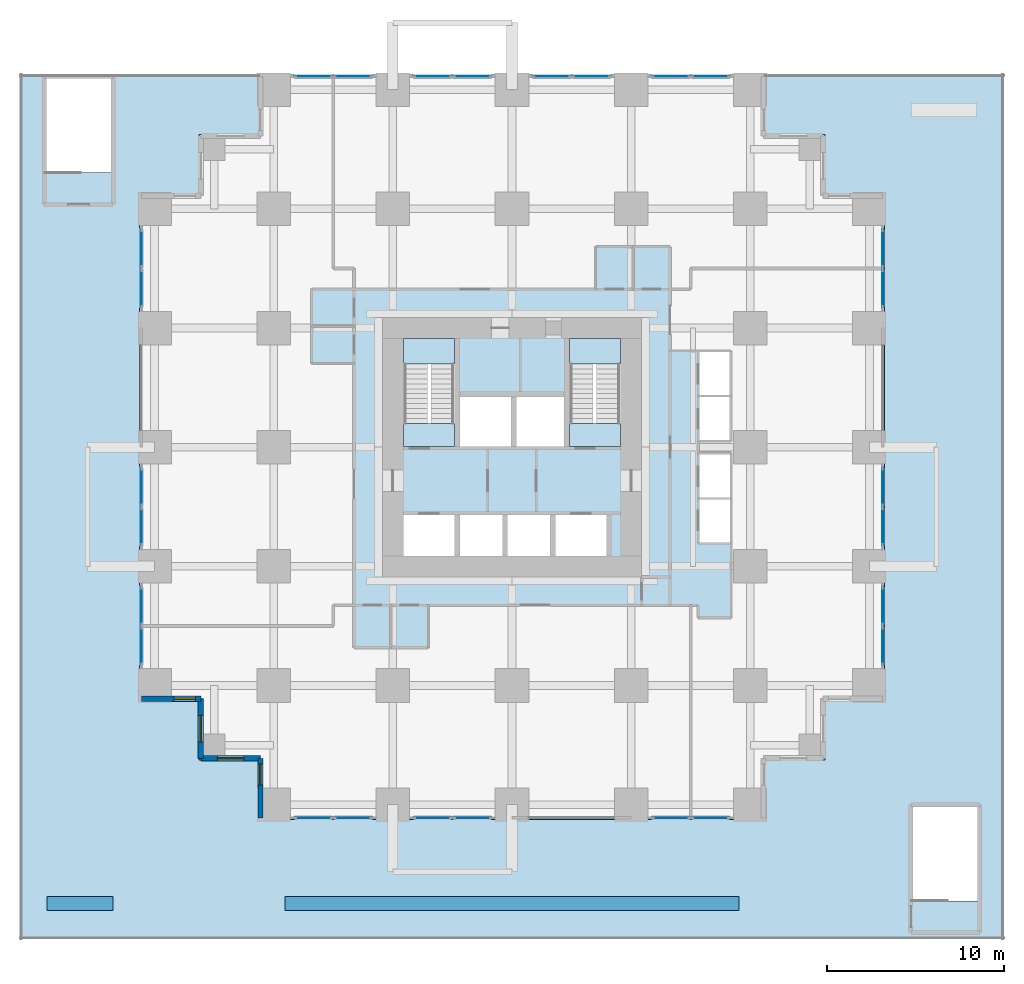
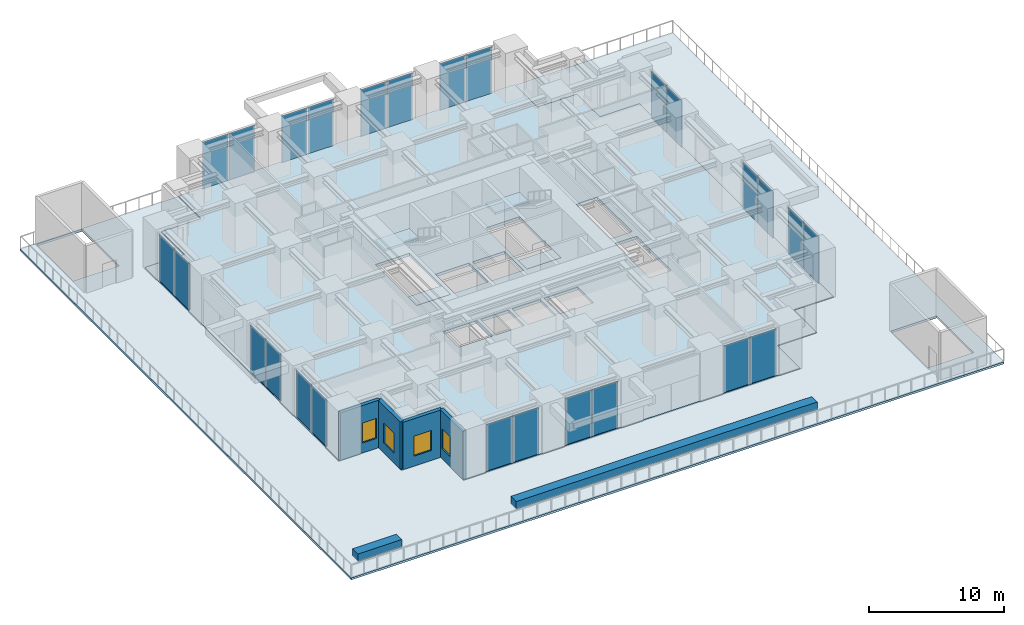
# One storey, part 4 of 9: 26 plates, 6 slabs, 6 walls, 4 windows, 4 openings, 15 elements without a shape of their own.
"""IFC4 building model written with IfcOpenShell, lengths in metres."""

from ifc_helpers import new_model, si_unit, direction, frame, frame_2d, origin, origin_2d, place, context, subcontext, project, spatial, polyline, rectangle, outline, extrude, material, layer, layer_set, type_object, element, fill, aggregate, save


model = new_model("IFC4")

# Units and contexts
model_context = context("Model", 3, precision=1e-05, world=origin(), true_north=direction((0.0, 1.0)))
body_context = subcontext(model_context, "Body", "Model", "MODEL_VIEW")
ifc_project = project(units=[si_unit("LENGTHUNIT", "METRE"), si_unit("AREAUNIT", "SQUARE_METRE"), si_unit("VOLUMEUNIT", "CUBIC_METRE"), si_unit("PLANEANGLEUNIT", "RADIAN"), si_unit("MASSUNIT", "GRAM", prefix="KILO")], contexts=[model_context])

# Site, building, storey
site_placement = place(None, origin())
site = spatial("IfcSite", under=ifc_project, at=site_placement, CompositionType="ELEMENT")
building_placement = place(site_placement, origin())
building = spatial("IfcBuilding", under=site, at=building_placement, Name="Nyansa Garden Tower", CompositionType="ELEMENT")
storey_placement = place(building_placement, frame((0.0, 0.0, 13.5)))
storey = spatial("IfcBuildingStorey", under=building, at=storey_placement, Name="L03", CompositionType="ELEMENT", Elevation=13.5)

# Slab
ifc_material_1 = material(Name="Concrete C40/50", Category="concrete")
ifc_layer_1 = layer(ifc_material_1, 0.25)
ifc_layer_set_1 = layer_set([ifc_layer_1], Name="Floor slab FS250")
slab_type_1 = type_object("IfcSlabType", Name="Floor slab FS250", PredefinedType="FLOOR", material=ifc_layer_set_1)
slab_1_placement = place(storey_placement, frame((0.0, 0.0, -0.25)))
element("IfcSlab", 1, at=slab_1_placement, inside=storey, type_object=slab_type_1, Name="Floor slab L03", PredefinedType="FLOOR", context=body_context, shape_type="SweptSolid", body=[
    extrude(outline(polyline([(41.35009765625, 5.89990234375), (37.97509765625, 5.89990234375), (37.97509765625, 2.52490234375), (34.60009765625, 2.52490234375), (34.60009765625, -0.85009765625), (5.89990234375, -0.85009765625), (5.89990234375, 2.52490234375), (2.52490234375, 2.52490234375), (2.52490234375, 5.89990234375), (-0.85009765625, 5.89990234375), (-0.85009765625, 34.60009765625), (2.52490234375, 34.60009765625), (2.52490234375, 37.97509765625), (5.89990234375, 37.97509765625), (5.89990234375, 41.35009765625), (34.60009765625, 41.35009765625), (34.60009765625, 37.97509765625), (37.97509765625, 37.97509765625), (37.97509765625, 34.60009765625), (41.35009765625, 34.60009765625), (41.35009765625, 5.89990234375)]), holes=[polyline([(14.10009765625, 14.10009765625), (17.0, 14.10009765625), (17.0, 16.39990234375), (14.10009765625, 16.39990234375), (14.10009765625, 14.10009765625)]), polyline([(17.300048828125, 14.10009765625), (19.699951171875, 14.10009765625), (19.699951171875, 16.39990234375), (17.300048828125, 16.39990234375), (17.300048828125, 14.10009765625)]), polyline([(20.0, 14.10009765625), (22.39990234375, 14.10009765625), (22.39990234375, 16.39990234375), (20.0, 16.39990234375), (20.0, 14.10009765625)]), polyline([(22.699951171875, 14.10009765625), (25.60009765625, 14.10009765625), (25.60009765625, 16.39990234375), (22.699951171875, 16.39990234375), (22.699951171875, 14.10009765625)]), polyline([(17.300048828125, 20.300048828125), (20.199951171875, 20.300048828125), (20.199951171875, 23.10009765625), (17.300048828125, 23.10009765625), (17.300048828125, 20.300048828125)]), polyline([(20.5, 20.300048828125), (23.199951171875, 20.300048828125), (23.199951171875, 23.10009765625), (20.5, 23.10009765625), (20.5, 20.300048828125)]), polyline([(30.800048828125, 14.800048828125), (32.64990234375, 14.800048828125), (32.64990234375, 19.89990234375), (30.800048828125, 19.89990234375), (30.800048828125, 14.800048828125)]), polyline([(30.800048828125, 20.60009765625), (32.64990234375, 20.60009765625), (32.64990234375, 25.699951171875), (30.800048828125, 25.699951171875), (30.800048828125, 20.60009765625)]), polyline([(14.10009765625, 20.300048828125), (17.0, 20.300048828125), (17.0, 26.39990234375), (14.10009765625, 26.39990234375), (14.10009765625, 20.300048828125)]), polyline([(23.5, 20.300048828125), (26.39990234375, 20.300048828125), (26.39990234375, 26.39990234375), (23.5, 26.39990234375), (23.5, 20.300048828125)])]), origin(), (0.0, 0.0, 1.0), 0.25),
])

# Curtain wall, plates
ifc_material_2 = material(Name="Black anodised aluminium, clear double glazing", Category="aluminium")
curtain_wall_type = type_object("IfcCurtainWallType", Name="Podium curtain wall PCW", PredefinedType="USERDEFINED", material=ifc_material_2)
curtain_wall_1_placement = place(storey_placement, origin())
curtain_wall_1 = element("IfcCurtainWall", 2, at=curtain_wall_1_placement, inside=storey, type_object=curtain_wall_type, Name="Podium curtain wall L03 E", ObjectType="STICK CURTAIN WALL", PredefinedType="USERDEFINED")
ifc_material_3 = material(Name="Clear laminated double glazing", Category="glass")
ifc_layer_2 = layer(ifc_material_3, 0.0380859375)
ifc_layer_set_2 = layer_set([ifc_layer_2], Name="Podium vision panel VP-P")
plate_type = type_object("IfcPlateType", Name="Podium vision panel VP-P", PredefinedType="CURTAIN_PANEL", material=ifc_layer_set_2)
plate_1_placement = place(storey_placement, frame((41.25, 9.0, 0.0), z_axis=(0.0, 0.0, 1.0), x_axis=(0.0, 1.0, 0.0)))
plate_1 = element("IfcPlate", 3, at=plate_1_placement, type_object=plate_type, Name="PCW panel 1", PredefinedType="CURTAIN_PANEL", context=body_context, shape_type="SweptSolid", body=[
    extrude(rectangle(XDim=2.169921875, YDim=0.0380859375, at=origin_2d()), origin(), (0.0, 0.0, 1.0), 4.195068359375),
])
plate_2_placement = place(storey_placement, frame((41.25, 11.25, 0.0), z_axis=(0.0, 0.0, 1.0), x_axis=(0.0, 1.0, 0.0)))
plate_2 = element("IfcPlate", 4, at=plate_2_placement, type_object=plate_type, Name="PCW panel 2", PredefinedType="CURTAIN_PANEL", context=body_context, shape_type="SweptSolid", body=[
    extrude(rectangle(XDim=2.169921875, YDim=0.0380859375, at=origin_2d()), origin(), (0.0, 0.0, 1.0), 4.195068359375),
])
aggregate(curtain_wall_1, [plate_1, plate_2])

curtain_wall_2_placement = place(storey_placement, origin())
curtain_wall_2 = element("IfcCurtainWall", 5, at=curtain_wall_2_placement, inside=storey, type_object=curtain_wall_type, Name="Podium curtain wall L03 E", ObjectType="STICK CURTAIN WALL", PredefinedType="USERDEFINED")
plate_3_placement = place(storey_placement, frame((41.25, 15.75, 0.0), z_axis=(0.0, 0.0, 1.0), x_axis=(0.0, 1.0, 0.0)))
plate_3 = element("IfcPlate", 6, at=plate_3_placement, type_object=plate_type, Name="PCW panel 1", PredefinedType="CURTAIN_PANEL", context=body_context, shape_type="SweptSolid", body=[
    extrude(rectangle(XDim=2.169921875, YDim=0.0380859375, at=origin_2d()), origin(), (0.0, 0.0, 1.0), 4.195068359375),
])
plate_4_placement = place(storey_placement, frame((41.25, 18.0, 0.0), z_axis=(0.0, 0.0, 1.0), x_axis=(0.0, 1.0, 0.0)))
plate_4 = element("IfcPlate", 7, at=plate_4_placement, type_object=plate_type, Name="PCW panel 2", PredefinedType="CURTAIN_PANEL", context=body_context, shape_type="SweptSolid", body=[
    extrude(rectangle(XDim=2.169921875, YDim=0.0380859375, at=origin_2d()), origin(), (0.0, 0.0, 1.0), 4.195068359375),
])
aggregate(curtain_wall_2, [plate_3, plate_4])

curtain_wall_3_placement = place(storey_placement, origin())
curtain_wall_3 = element("IfcCurtainWall", 8, at=curtain_wall_3_placement, inside=storey, type_object=curtain_wall_type, Name="Podium curtain wall L03 E", ObjectType="STICK CURTAIN WALL", PredefinedType="USERDEFINED")
plate_5_placement = place(storey_placement, frame((41.25, 29.25, 0.0), z_axis=(0.0, 0.0, 1.0), x_axis=(0.0, 1.0, 0.0)))
plate_5 = element("IfcPlate", 9, at=plate_5_placement, type_object=plate_type, Name="PCW panel 1", PredefinedType="CURTAIN_PANEL", context=body_context, shape_type="SweptSolid", body=[
    extrude(rectangle(XDim=2.169921875, YDim=0.0380859375, at=origin_2d()), origin(), (0.0, 0.0, 1.0), 4.195068359375),
])
plate_6_placement = place(storey_placement, frame((41.25, 31.5, 0.0), z_axis=(0.0, 0.0, 1.0), x_axis=(0.0, 1.0, 0.0)))
plate_6 = element("IfcPlate", 10, at=plate_6_placement, type_object=plate_type, Name="PCW panel 2", PredefinedType="CURTAIN_PANEL", context=body_context, shape_type="SweptSolid", body=[
    extrude(rectangle(XDim=2.169921875, YDim=0.0380859375, at=origin_2d()), origin(), (0.0, 0.0, 1.0), 4.195068359375),
])
aggregate(curtain_wall_3, [plate_5, plate_6])

curtain_wall_4_placement = place(storey_placement, origin())
curtain_wall_4 = element("IfcCurtainWall", 11, at=curtain_wall_4_placement, inside=storey, type_object=curtain_wall_type, Name="Podium curtain wall L03 N", ObjectType="STICK CURTAIN WALL", PredefinedType="USERDEFINED")
plate_7_placement = place(storey_placement, frame((31.5, 41.25, 0.0), z_axis=(0.0, 0.0, 1.0), x_axis=(-1.0, 0.0, 0.0)))
plate_7 = element("IfcPlate", 12, at=plate_7_placement, type_object=plate_type, Name="PCW panel 1", PredefinedType="CURTAIN_PANEL", context=body_context, shape_type="SweptSolid", body=[
    extrude(rectangle(XDim=2.169921875, YDim=0.0380859375, at=origin_2d()), origin(), (0.0, 0.0, 1.0), 4.195068359375),
])
plate_8_placement = place(storey_placement, frame((29.25, 41.25, 0.0), z_axis=(0.0, 0.0, 1.0), x_axis=(-1.0, 0.0, 0.0)))
plate_8 = element("IfcPlate", 13, at=plate_8_placement, type_object=plate_type, Name="PCW panel 2", PredefinedType="CURTAIN_PANEL", context=body_context, shape_type="SweptSolid", body=[
    extrude(rectangle(XDim=2.169921875, YDim=0.0380859375, at=origin_2d()), origin(), (0.0, 0.0, 1.0), 4.195068359375),
])
aggregate(curtain_wall_4, [plate_7, plate_8])

curtain_wall_5_placement = place(storey_placement, origin())
curtain_wall_5 = element("IfcCurtainWall", 14, at=curtain_wall_5_placement, inside=storey, type_object=curtain_wall_type, Name="Podium curtain wall L03 N", ObjectType="STICK CURTAIN WALL", PredefinedType="USERDEFINED")
plate_9_placement = place(storey_placement, frame((24.75, 41.25, 0.0), z_axis=(0.0, 0.0, 1.0), x_axis=(-1.0, 0.0, 0.0)))
plate_9 = element("IfcPlate", 15, at=plate_9_placement, type_object=plate_type, Name="PCW panel 1", PredefinedType="CURTAIN_PANEL", context=body_context, shape_type="SweptSolid", body=[
    extrude(rectangle(XDim=2.169921875, YDim=0.0380859375, at=origin_2d()), origin(), (0.0, 0.0, 1.0), 4.195068359375),
])
plate_10_placement = place(storey_placement, frame((22.5, 41.25, 0.0), z_axis=(0.0, 0.0, 1.0), x_axis=(-1.0, 0.0, 0.0)))
plate_10 = element("IfcPlate", 16, at=plate_10_placement, type_object=plate_type, Name="PCW panel 2", PredefinedType="CURTAIN_PANEL", context=body_context, shape_type="SweptSolid", body=[
    extrude(rectangle(XDim=2.169921875, YDim=0.0380859375, at=origin_2d()), origin(), (0.0, 0.0, 1.0), 4.195068359375),
])
aggregate(curtain_wall_5, [plate_9, plate_10])

curtain_wall_6_placement = place(storey_placement, origin())
curtain_wall_6 = element("IfcCurtainWall", 17, at=curtain_wall_6_placement, inside=storey, type_object=curtain_wall_type, Name="Podium curtain wall L03 N", ObjectType="STICK CURTAIN WALL", PredefinedType="USERDEFINED")
plate_11_placement = place(storey_placement, frame((18.0, 41.25, 0.0), z_axis=(0.0, 0.0, 1.0), x_axis=(-1.0, 0.0, 0.0)))
plate_11 = element("IfcPlate", 18, at=plate_11_placement, type_object=plate_type, Name="PCW panel 1", PredefinedType="CURTAIN_PANEL", context=body_context, shape_type="SweptSolid", body=[
    extrude(rectangle(XDim=2.169921875, YDim=0.0380859375, at=origin_2d()), origin(), (0.0, 0.0, 1.0), 4.195068359375),
])
plate_12_placement = place(storey_placement, frame((15.75, 41.25, 0.0), z_axis=(0.0, 0.0, 1.0), x_axis=(-1.0, 0.0, 0.0)))
plate_12 = element("IfcPlate", 19, at=plate_12_placement, type_object=plate_type, Name="PCW panel 2", PredefinedType="CURTAIN_PANEL", context=body_context, shape_type="SweptSolid", body=[
    extrude(rectangle(XDim=2.169921875, YDim=0.0380859375, at=origin_2d()), origin(), (0.0, 0.0, 1.0), 4.195068359375),
])
aggregate(curtain_wall_6, [plate_11, plate_12])

curtain_wall_7_placement = place(storey_placement, origin())
curtain_wall_7 = element("IfcCurtainWall", 20, at=curtain_wall_7_placement, inside=storey, type_object=curtain_wall_type, Name="Podium curtain wall L03 N", ObjectType="STICK CURTAIN WALL", PredefinedType="USERDEFINED")
plate_13_placement = place(storey_placement, frame((11.25, 41.25, 0.0), z_axis=(0.0, 0.0, 1.0), x_axis=(-1.0, 0.0, 0.0)))
plate_13 = element("IfcPlate", 21, at=plate_13_placement, type_object=plate_type, Name="PCW panel 1", PredefinedType="CURTAIN_PANEL", context=body_context, shape_type="SweptSolid", body=[
    extrude(rectangle(XDim=2.169921875, YDim=0.0380859375, at=origin_2d()), origin(), (0.0, 0.0, 1.0), 4.195068359375),
])
plate_14_placement = place(storey_placement, frame((9.0, 41.25, 0.0), z_axis=(0.0, 0.0, 1.0), x_axis=(-1.0, 0.0, 0.0)))
plate_14 = element("IfcPlate", 22, at=plate_14_placement, type_object=plate_type, Name="PCW panel 2", PredefinedType="CURTAIN_PANEL", context=body_context, shape_type="SweptSolid", body=[
    extrude(rectangle(XDim=2.169921875, YDim=0.0380859375, at=origin_2d()), origin(), (0.0, 0.0, 1.0), 4.195068359375),
])
aggregate(curtain_wall_7, [plate_13, plate_14])

curtain_wall_8_placement = place(storey_placement, origin())
curtain_wall_8 = element("IfcCurtainWall", 23, at=curtain_wall_8_placement, inside=storey, type_object=curtain_wall_type, Name="Podium curtain wall L03 W", ObjectType="STICK CURTAIN WALL", PredefinedType="USERDEFINED")
plate_15_placement = place(storey_placement, frame((-0.75, 18.0, 0.0), z_axis=(0.0, 0.0, 1.0), x_axis=(0.0, -1.0, 0.0)))
plate_15 = element("IfcPlate", 24, at=plate_15_placement, type_object=plate_type, Name="PCW panel 1", PredefinedType="CURTAIN_PANEL", context=body_context, shape_type="SweptSolid", body=[
    extrude(rectangle(XDim=2.169921875, YDim=0.0380859375, at=origin_2d()), origin(), (0.0, 0.0, 1.0), 4.195068359375),
])
plate_16_placement = place(storey_placement, frame((-0.75, 15.75, 0.0), z_axis=(0.0, 0.0, 1.0), x_axis=(0.0, -1.0, 0.0)))
plate_16 = element("IfcPlate", 25, at=plate_16_placement, type_object=plate_type, Name="PCW panel 2", PredefinedType="CURTAIN_PANEL", context=body_context, shape_type="SweptSolid", body=[
    extrude(rectangle(XDim=2.169921875, YDim=0.0380859375, at=origin_2d()), origin(), (0.0, 0.0, 1.0), 4.195068359375),
])
aggregate(curtain_wall_8, [plate_15, plate_16])

curtain_wall_9_placement = place(storey_placement, origin())
curtain_wall_9 = element("IfcCurtainWall", 26, at=curtain_wall_9_placement, inside=storey, type_object=curtain_wall_type, Name="Podium curtain wall L03 W", ObjectType="STICK CURTAIN WALL", PredefinedType="USERDEFINED")
plate_17_placement = place(storey_placement, frame((-0.75, 11.25, 0.0), z_axis=(0.0, 0.0, 1.0), x_axis=(0.0, -1.0, 0.0)))
plate_17 = element("IfcPlate", 27, at=plate_17_placement, type_object=plate_type, Name="PCW panel 1", PredefinedType="CURTAIN_PANEL", context=body_context, shape_type="SweptSolid", body=[
    extrude(rectangle(XDim=2.169921875, YDim=0.0380859375, at=origin_2d()), origin(), (0.0, 0.0, 1.0), 4.195068359375),
])
plate_18_placement = place(storey_placement, frame((-0.75, 9.0, 0.0), z_axis=(0.0, 0.0, 1.0), x_axis=(0.0, -1.0, 0.0)))
plate_18 = element("IfcPlate", 28, at=plate_18_placement, type_object=plate_type, Name="PCW panel 2", PredefinedType="CURTAIN_PANEL", context=body_context, shape_type="SweptSolid", body=[
    extrude(rectangle(XDim=2.169921875, YDim=0.0380859375, at=origin_2d()), origin(), (0.0, 0.0, 1.0), 4.195068359375),
])
aggregate(curtain_wall_9, [plate_17, plate_18])

curtain_wall_10_placement = place(storey_placement, origin())
curtain_wall_10 = element("IfcCurtainWall", 29, at=curtain_wall_10_placement, inside=storey, type_object=curtain_wall_type, Name="Podium curtain wall L03 W", ObjectType="STICK CURTAIN WALL", PredefinedType="USERDEFINED")
plate_19_placement = place(storey_placement, frame((-0.75, 31.5, 0.0), z_axis=(0.0, 0.0, 1.0), x_axis=(0.0, -1.0, 0.0)))
plate_19 = element("IfcPlate", 30, at=plate_19_placement, type_object=plate_type, Name="PCW panel 1", PredefinedType="CURTAIN_PANEL", context=body_context, shape_type="SweptSolid", body=[
    extrude(rectangle(XDim=2.169921875, YDim=0.0380859375, at=origin_2d()), origin(), (0.0, 0.0, 1.0), 4.195068359375),
])
plate_20_placement = place(storey_placement, frame((-0.75, 29.25, 0.0), z_axis=(0.0, 0.0, 1.0), x_axis=(0.0, -1.0, 0.0)))
plate_20 = element("IfcPlate", 31, at=plate_20_placement, type_object=plate_type, Name="PCW panel 2", PredefinedType="CURTAIN_PANEL", context=body_context, shape_type="SweptSolid", body=[
    extrude(rectangle(XDim=2.169921875, YDim=0.0380859375, at=origin_2d()), origin(), (0.0, 0.0, 1.0), 4.195068359375),
])
aggregate(curtain_wall_10, [plate_19, plate_20])

curtain_wall_11_placement = place(storey_placement, origin())
curtain_wall_11 = element("IfcCurtainWall", 32, at=curtain_wall_11_placement, inside=storey, type_object=curtain_wall_type, Name="Podium curtain wall L03 S", ObjectType="STICK CURTAIN WALL", PredefinedType="USERDEFINED")
plate_21_placement = place(storey_placement, frame((9.0, -0.75, 0.0), z_axis=(0.0, 0.0, 1.0), x_axis=(1.0, 0.0, 0.0)))
plate_21 = element("IfcPlate", 33, at=plate_21_placement, type_object=plate_type, Name="PCW panel 1", PredefinedType="CURTAIN_PANEL", context=body_context, shape_type="SweptSolid", body=[
    extrude(rectangle(XDim=2.169921875, YDim=0.0380859375, at=origin_2d()), origin(), (0.0, 0.0, 1.0), 4.195068359375),
])
plate_22_placement = place(storey_placement, frame((11.25, -0.75, 0.0), z_axis=(0.0, 0.0, 1.0), x_axis=(1.0, 0.0, 0.0)))
plate_22 = element("IfcPlate", 34, at=plate_22_placement, type_object=plate_type, Name="PCW panel 2", PredefinedType="CURTAIN_PANEL", context=body_context, shape_type="SweptSolid", body=[
    extrude(rectangle(XDim=2.169921875, YDim=0.0380859375, at=origin_2d()), origin(), (0.0, 0.0, 1.0), 4.195068359375),
])
aggregate(curtain_wall_11, [plate_21, plate_22])

curtain_wall_12_placement = place(storey_placement, origin())
curtain_wall_12 = element("IfcCurtainWall", 35, at=curtain_wall_12_placement, inside=storey, type_object=curtain_wall_type, Name="Podium curtain wall L03 S", ObjectType="STICK CURTAIN WALL", PredefinedType="USERDEFINED")
plate_23_placement = place(storey_placement, frame((15.75, -0.75, 0.0), z_axis=(0.0, 0.0, 1.0), x_axis=(1.0, 0.0, 0.0)))
plate_23 = element("IfcPlate", 36, at=plate_23_placement, type_object=plate_type, Name="PCW panel 1", PredefinedType="CURTAIN_PANEL", context=body_context, shape_type="SweptSolid", body=[
    extrude(rectangle(XDim=2.169921875, YDim=0.0380859375, at=origin_2d()), origin(), (0.0, 0.0, 1.0), 4.195068359375),
])
plate_24_placement = place(storey_placement, frame((18.0, -0.75, 0.0), z_axis=(0.0, 0.0, 1.0), x_axis=(1.0, 0.0, 0.0)))
plate_24 = element("IfcPlate", 37, at=plate_24_placement, type_object=plate_type, Name="PCW panel 2", PredefinedType="CURTAIN_PANEL", context=body_context, shape_type="SweptSolid", body=[
    extrude(rectangle(XDim=2.169921875, YDim=0.0380859375, at=origin_2d()), origin(), (0.0, 0.0, 1.0), 4.195068359375),
])
aggregate(curtain_wall_12, [plate_23, plate_24])

curtain_wall_13_placement = place(storey_placement, origin())
curtain_wall_13 = element("IfcCurtainWall", 38, at=curtain_wall_13_placement, inside=storey, type_object=curtain_wall_type, Name="Podium curtain wall L03 S", ObjectType="STICK CURTAIN WALL", PredefinedType="USERDEFINED")
plate_25_placement = place(storey_placement, frame((29.25, -0.75, 0.0), z_axis=(0.0, 0.0, 1.0), x_axis=(1.0, 0.0, 0.0)))
plate_25 = element("IfcPlate", 39, at=plate_25_placement, type_object=plate_type, Name="PCW panel 1", PredefinedType="CURTAIN_PANEL", context=body_context, shape_type="SweptSolid", body=[
    extrude(rectangle(XDim=2.169921875, YDim=0.0380859375, at=origin_2d()), origin(), (0.0, 0.0, 1.0), 4.195068359375),
])
plate_26_placement = place(storey_placement, frame((31.5, -0.75, 0.0), z_axis=(0.0, 0.0, 1.0), x_axis=(1.0, 0.0, 0.0)))
plate_26 = element("IfcPlate", 40, at=plate_26_placement, type_object=plate_type, Name="PCW panel 2", PredefinedType="CURTAIN_PANEL", context=body_context, shape_type="SweptSolid", body=[
    extrude(rectangle(XDim=2.169921875, YDim=0.0380859375, at=origin_2d()), origin(), (0.0, 0.0, 1.0), 4.195068359375),
])
aggregate(curtain_wall_13, [plate_25, plate_26])

# Stair, slabs
ifc_material_4 = material(Name="Precast concrete C40/50", Category="concrete")
stair_type_1 = type_object("IfcStairType", Name="Stair S1 173x280", PredefinedType="HALF_TURN_STAIR", material=ifc_material_4)
stair_1_placement = place(storey_placement, origin())
stair_1 = element("IfcStair", 41, at=stair_1_placement, inside=storey, type_object=stair_type_1, Name="Stair S1 L03", PredefinedType="HALF_TURN_STAIR")
ifc_material_5 = material(Name="Concrete C40/50", Category="concrete")
ifc_layer_3 = layer(ifc_material_5, 0.199951171875)
ifc_layer_set_3 = layer_set([ifc_layer_3], Name="Stair landing SL200")
slab_type_2 = type_object("IfcSlabType", Name="Stair landing SL200", PredefinedType="LANDING", material=ifc_layer_set_3)
slab_2_placement = place(storey_placement, frame((0.0, 0.0, -0.199951171875)))
slab_2 = element("IfcSlab", 42, at=slab_2_placement, type_object=slab_type_2, Name="S1 landing 1", PredefinedType="LANDING", context=body_context, shape_type="SweptSolid", body=[
    extrude(outline(polyline([(14.10009765625, 20.300048828125), (17.0, 20.300048828125), (17.0, 21.60009765625), (14.10009765625, 21.60009765625), (14.10009765625, 20.300048828125)])), origin(), (0.0, 0.0, 1.0), 0.199951171875),
])
slab_3_placement = place(storey_placement, frame((0.0, 0.0, 2.050048828125)))
slab_3 = element("IfcSlab", 43, at=slab_3_placement, type_object=slab_type_2, Name="S1 landing 2", PredefinedType="LANDING", context=body_context, shape_type="SweptSolid", body=[
    extrude(outline(polyline([(14.10009765625, 24.9599609375), (17.0, 24.9599609375), (17.0, 26.39990234375), (14.10009765625, 26.39990234375), (14.10009765625, 24.9599609375)])), origin(), (0.0, 0.0, 1.0), 0.199951171875),
])
aggregate(stair_1, [slab_2, slab_3])

ifc_material_6 = material(Name="Precast concrete C40/50", Category="concrete")
stair_type_2 = type_object("IfcStairType", Name="Stair S2 173x280", PredefinedType="HALF_TURN_STAIR", material=ifc_material_6)
stair_2_placement = place(storey_placement, origin())
stair_2 = element("IfcStair", 44, at=stair_2_placement, inside=storey, type_object=stair_type_2, Name="Stair S2 L03", PredefinedType="HALF_TURN_STAIR")
slab_4_placement = place(storey_placement, frame((0.0, 0.0, -0.199951171875)))
slab_4 = element("IfcSlab", 45, at=slab_4_placement, type_object=slab_type_2, Name="S2 landing 1", PredefinedType="LANDING", context=body_context, shape_type="SweptSolid", body=[
    extrude(outline(polyline([(23.5, 20.300048828125), (26.39990234375, 20.300048828125), (26.39990234375, 21.60009765625), (23.5, 21.60009765625), (23.5, 20.300048828125)])), origin(), (0.0, 0.0, 1.0), 0.199951171875),
])
slab_5_placement = place(storey_placement, frame((0.0, 0.0, 2.050048828125)))
slab_5 = element("IfcSlab", 46, at=slab_5_placement, type_object=slab_type_2, Name="S2 landing 2", PredefinedType="LANDING", context=body_context, shape_type="SweptSolid", body=[
    extrude(outline(polyline([(23.5, 24.9599609375), (26.39990234375, 24.9599609375), (26.39990234375, 26.39990234375), (23.5, 26.39990234375), (23.5, 24.9599609375)])), origin(), (0.0, 0.0, 1.0), 0.199951171875),
])
aggregate(stair_2, [slab_4, slab_5])

# Slab
ifc_material_7 = material(Name="Concrete C40/50, waterproofed to falls", Category="concrete")
ifc_layer_4 = layer(ifc_material_7, 0.18994140625)
ifc_layer_set_4 = layer_set([ifc_layer_4], Name="Terrace slab TS190")
slab_type_3 = type_object("IfcSlabType", Name="Terrace slab TS190", PredefinedType="ROOF", material=ifc_layer_set_4)
slab_6_placement = place(storey_placement, frame((0.0, 0.0, -0.25)))
element("IfcSlab", 47, at=slab_6_placement, inside=storey, type_object=slab_type_3, Name="Terrace L03", PredefinedType="ROOF", context=body_context, shape_type="SweptSolid", body=[
    extrude(outline(polyline([(-7.60009765625, 41.35009765625), (5.89990234375, 41.35009765625), (5.89990234375, 37.97509765625), (2.52490234375, 37.97509765625), (2.52490234375, 34.60009765625), (-0.85009765625, 34.60009765625), (-0.85009765625, 5.89990234375), (2.52490234375, 5.89990234375), (2.52490234375, 2.52490234375), (5.89990234375, 2.52490234375), (5.89990234375, -0.85009765625), (34.60009765625, -0.85009765625), (34.60009765625, 2.52490234375), (37.97509765625, 2.52490234375), (37.97509765625, 5.89990234375), (41.35009765625, 5.89990234375), (41.35009765625, 34.60009765625), (37.97509765625, 34.60009765625), (37.97509765625, 37.97509765625), (34.60009765625, 37.97509765625), (34.60009765625, 41.35009765625), (48.10009765625, 41.35009765625), (48.10009765625, -7.60009765625), (-7.60009765625, -7.60009765625), (-7.60009765625, 41.35009765625)]), holes=[polyline([(46.75, -5.449951171875), (46.75, 0.0), (42.85009765625, 0.0), (42.85009765625, -5.449951171875), (46.75, -5.449951171875)]), polyline([(-2.35009765625, 35.800048828125), (-2.35009765625, 41.25), (-6.25, 41.25), (-6.25, 35.800048828125), (-2.35009765625, 35.800048828125)])]), origin(), (0.0, 0.0, 1.0), 0.18994140625),
])

# Walls
ifc_material_8 = material(Name="Concrete C40/50 planter, waterproofed", Category="concrete")
ifc_layer_5 = layer(ifc_material_8, 0.800048828125)
ifc_layer_set_5 = layer_set([ifc_layer_5], Name="Terrace planter TP2")
wall_type_1 = type_object("IfcWallType", Name="Terrace planter TP2", PredefinedType="USERDEFINED", material=ifc_layer_set_5)
wall_1_placement = place(storey_placement, frame((-2.35009765625, -5.60009765625, -0.06005859375), z_axis=(0.0, 0.0, 1.0), x_axis=(-1.0, 0.0, 0.0)))
element("IfcWall", 48, at=wall_1_placement, inside=storey, type_object=wall_type_1, Name="Terrace planter L03", ObjectType="TERRACE PLANTER", PredefinedType="USERDEFINED", context=body_context, shape_type="SweptSolid", body=[
    extrude(rectangle(XDim=3.75, YDim=0.800048828125, at=frame_2d((1.875, 0.0))), origin(), (0.0, 0.0, 1.0), 0.66015625),
])
wall_2_placement = place(storey_placement, frame((33.10009765625, -5.60009765625, -0.06005859375), z_axis=(0.0, 0.0, 1.0), x_axis=(-1.0, 0.0, 0.0)))
element("IfcWall", 49, at=wall_2_placement, inside=storey, type_object=wall_type_1, Name="Terrace planter L03", ObjectType="TERRACE PLANTER", PredefinedType="USERDEFINED", context=body_context, shape_type="SweptSolid", body=[
    extrude(rectangle(XDim=25.7001953125, YDim=0.800048828125, at=frame_2d((12.85009765625, 0.0))), origin(), (0.0, 0.0, 1.0), 0.66015625),
])

# Wall, opening, window
ifc_material_9 = material(Name="Turquoise glazed tile on concrete blockwork", Category="masonry")
ifc_layer_6 = layer(ifc_material_9, 0.300048828125)
ifc_layer_set_6 = layer_set([ifc_layer_6], Name="Tiled corner wall TW300")
wall_type_2 = type_object("IfcWallType", Name="Tiled corner wall TW300", PredefinedType="SOLIDWALL", material=ifc_layer_set_6)
wall_3_placement = place(storey_placement, frame((-0.75, 6.0, 0.0), z_axis=(0.0, 0.0, 1.0), x_axis=(1.0, 0.0, 0.0)))
wall_3 = element("IfcWall", 50, at=wall_3_placement, inside=storey, type_object=wall_type_2, Name="Tiled corner wall L03", PredefinedType="SOLIDWALL", context=body_context, shape_type="SweptSolid", body=[
    extrude(rectangle(XDim=3.375, YDim=0.300048828125, at=frame_2d((1.6875, 0.0))), origin(), (0.0, 0.0, 1.0), 4.27490234375),
])
opening_1_placement = place(wall_3_placement, frame((1.857421875, 0.0, 0.89990234375)))
opening_1 = element("IfcOpeningElement", 51, at=opening_1_placement, cuts=wall_3, Name="Opening W4", PredefinedType="OPENING", context=body_context, shape_type="SweptSolid", body=[
    extrude(rectangle(XDim=1.199951171875, YDim=1.800048828125, at=frame_2d((0.60009765625, 0.89990234375))), frame((0.0, 0.159912109375, 0.0), z_axis=(0.0, -1.0, 0.0), x_axis=(1.0, 0.0, 0.0)), (0.0, 0.0, 1.0), 0.320068359375),
])
ifc_material_10 = material(Name="Black aluminium frame, dark tinted double glazing", Category="aluminium")
window_type_1 = type_object("IfcWindowType", Name="Window W4 1200x1800", PartitioningType="SINGLE_PANEL", PredefinedType="WINDOW", material=ifc_material_10)
window_1_placement = place(opening_1_placement, origin())
window_1 = element("IfcWindow", 52, at=window_1_placement, inside=storey, type_object=window_type_1, Name="Corner window L03", OverallHeight=1.800048828125, OverallWidth=1.199951171875, PartitioningType="SINGLE_PANEL", PredefinedType="WINDOW", context=body_context, shape_type="SweptSolid", body=[
    extrude(rectangle(XDim=1.199951171875, YDim=1.800048828125, at=frame_2d((0.60009765625, 0.89990234375))), frame((0.0, 0.030029296875, 0.0), z_axis=(0.0, -1.0, 0.0), x_axis=(1.0, 0.0, 0.0)), (0.0, 0.0, 1.0), 0.06005859375),
])
fill(opening_1, window_1)

wall_4_placement = place(storey_placement, frame((2.625, 6.0, 0.0), z_axis=(0.0, 0.0, 1.0), x_axis=(0.0, -1.0, 0.0)))
wall_4 = element("IfcWall", 53, at=wall_4_placement, inside=storey, type_object=wall_type_2, Name="Tiled corner wall L03", PredefinedType="SOLIDWALL", context=body_context, shape_type="SweptSolid", body=[
    extrude(rectangle(XDim=3.375, YDim=0.300048828125, at=frame_2d((1.6875, 0.0))), origin(), (0.0, 0.0, 1.0), 4.27490234375),
])
opening_2_placement = place(wall_4_placement, frame((0.9375, 0.0, 0.89990234375)))
opening_2 = element("IfcOpeningElement", 54, at=opening_2_placement, cuts=wall_4, Name="Opening W1", PredefinedType="OPENING", context=body_context, shape_type="SweptSolid", body=[
    extrude(rectangle(XDim=1.5, YDim=1.800048828125, at=frame_2d((0.75, 0.89990234375))), frame((0.0, 0.159912109375, 0.0), z_axis=(0.0, -1.0, 0.0), x_axis=(1.0, 0.0, 0.0)), (0.0, 0.0, 1.0), 0.320068359375),
])
ifc_material_11 = material(Name="Black aluminium frame, dark tinted double glazing", Category="aluminium")
window_type_2 = type_object("IfcWindowType", Name="Window W1 1500x1800", PartitioningType="SINGLE_PANEL", PredefinedType="WINDOW", material=ifc_material_11)
window_2_placement = place(opening_2_placement, origin())
window_2 = element("IfcWindow", 55, at=window_2_placement, inside=storey, type_object=window_type_2, Name="Corner window L03", OverallHeight=1.800048828125, OverallWidth=1.5, PartitioningType="SINGLE_PANEL", PredefinedType="WINDOW", context=body_context, shape_type="SweptSolid", body=[
    extrude(rectangle(XDim=1.5, YDim=1.800048828125, at=frame_2d((0.75, 0.89990234375))), frame((0.0, 0.030029296875, 0.0), z_axis=(0.0, -1.0, 0.0), x_axis=(1.0, 0.0, 0.0)), (0.0, 0.0, 1.0), 0.06005859375),
])
fill(opening_2, window_2)

wall_5_placement = place(storey_placement, frame((2.625, 2.625, 0.0), z_axis=(0.0, 0.0, 1.0), x_axis=(1.0, 0.0, 0.0)))
wall_5 = element("IfcWall", 56, at=wall_5_placement, inside=storey, type_object=wall_type_2, Name="Tiled corner wall L03", PredefinedType="SOLIDWALL", context=body_context, shape_type="SweptSolid", body=[
    extrude(rectangle(XDim=3.375, YDim=0.300048828125, at=frame_2d((1.6875, 0.0))), origin(), (0.0, 0.0, 1.0), 4.27490234375),
])
opening_3_placement = place(wall_5_placement, frame((0.9375, 0.0, 0.89990234375)))
opening_3 = element("IfcOpeningElement", 57, at=opening_3_placement, cuts=wall_5, Name="Opening W1", PredefinedType="OPENING", context=body_context, shape_type="SweptSolid", body=[
    extrude(rectangle(XDim=1.5, YDim=1.800048828125, at=frame_2d((0.75, 0.89990234375))), frame((0.0, 0.159912109375, 0.0), z_axis=(0.0, -1.0, 0.0), x_axis=(1.0, 0.0, 0.0)), (0.0, 0.0, 1.0), 0.320068359375),
])
window_3_placement = place(opening_3_placement, origin())
window_3 = element("IfcWindow", 58, at=window_3_placement, inside=storey, type_object=window_type_2, Name="Corner window L03", OverallHeight=1.800048828125, OverallWidth=1.5, PartitioningType="SINGLE_PANEL", PredefinedType="WINDOW", context=body_context, shape_type="SweptSolid", body=[
    extrude(rectangle(XDim=1.5, YDim=1.800048828125, at=frame_2d((0.75, 0.89990234375))), frame((0.0, 0.030029296875, 0.0), z_axis=(0.0, -1.0, 0.0), x_axis=(1.0, 0.0, 0.0)), (0.0, 0.0, 1.0), 0.06005859375),
])
fill(opening_3, window_3)

wall_6_placement = place(storey_placement, frame((6.0, 2.625, 0.0), z_axis=(0.0, 0.0, 1.0), x_axis=(0.0, -1.0, 0.0)))
wall_6 = element("IfcWall", 59, at=wall_6_placement, inside=storey, type_object=wall_type_2, Name="Tiled corner wall L03", PredefinedType="SOLIDWALL", context=body_context, shape_type="SweptSolid", body=[
    extrude(rectangle(XDim=3.375, YDim=0.300048828125, at=frame_2d((1.6875, 0.0))), origin(), (0.0, 0.0, 1.0), 4.27490234375),
])
opening_4_placement = place(wall_6_placement, frame((0.3173828125, 0.0, 0.89990234375)))
opening_4 = element("IfcOpeningElement", 60, at=opening_4_placement, cuts=wall_6, Name="Opening W4", PredefinedType="OPENING", context=body_context, shape_type="SweptSolid", body=[
    extrude(rectangle(XDim=1.199951171875, YDim=1.800048828125, at=frame_2d((0.60009765625, 0.89990234375))), frame((0.0, 0.159912109375, 0.0), z_axis=(0.0, -1.0, 0.0), x_axis=(1.0, 0.0, 0.0)), (0.0, 0.0, 1.0), 0.320068359375),
])
window_4_placement = place(opening_4_placement, origin())
window_4 = element("IfcWindow", 61, at=window_4_placement, inside=storey, type_object=window_type_1, Name="Corner window L03", OverallHeight=1.800048828125, OverallWidth=1.199951171875, PartitioningType="SINGLE_PANEL", PredefinedType="WINDOW", context=body_context, shape_type="SweptSolid", body=[
    extrude(rectangle(XDim=1.199951171875, YDim=1.800048828125, at=frame_2d((0.60009765625, 0.89990234375))), frame((0.0, 0.030029296875, 0.0), z_axis=(0.0, -1.0, 0.0), x_axis=(1.0, 0.0, 0.0)), (0.0, 0.0, 1.0), 0.06005859375),
])
fill(opening_4, window_4)

save(model, "model.ifc")
